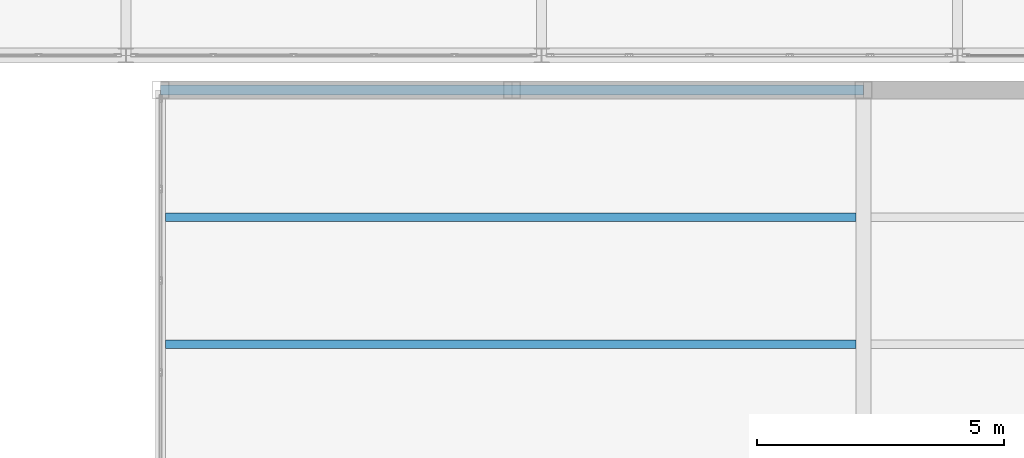
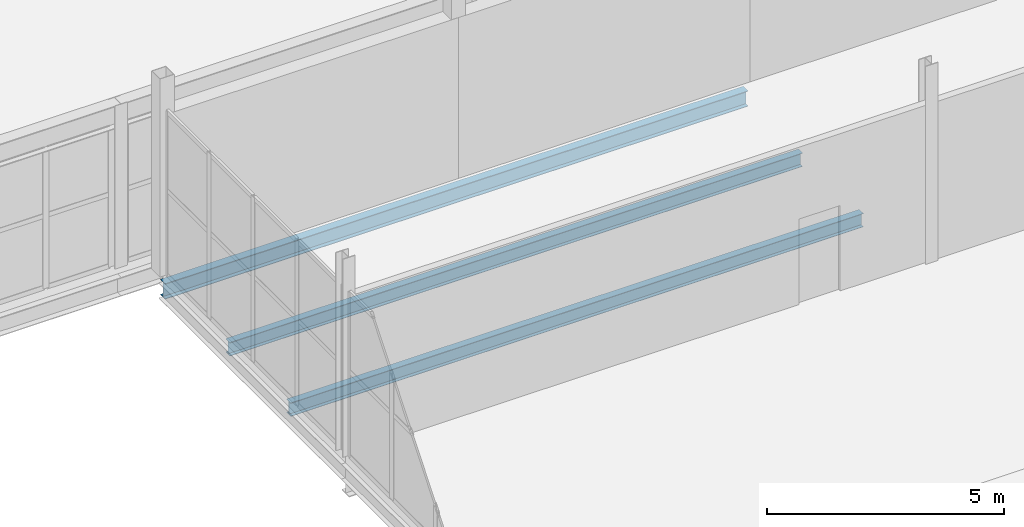
# One storey, part 142 of 218: 3 beams.
"""IFC4 building model written with IfcOpenShell, lengths in metres."""

from ifc_helpers import new_model, si_unit, direction, frame, origin, origin_2d, place, context, subcontext, project, spatial, i_section, extrude, material, material_profile, profile_set, type_object, element, save


model = new_model("IFC4")

# Units and contexts
model_context = context("Model", 3, precision=1e-05, world=origin(), true_north=direction((0.0, 1.0)))
body_context = subcontext(model_context, "Body", "Model", "MODEL_VIEW")
ifc_project = project(units=[si_unit("LENGTHUNIT", "METRE"), si_unit("AREAUNIT", "SQUARE_METRE"), si_unit("VOLUMEUNIT", "CUBIC_METRE"), si_unit("PLANEANGLEUNIT", "RADIAN"), si_unit("MASSUNIT", "GRAM", prefix="KILO")], contexts=[model_context])

# Site, building, storey
site_placement = place(None, origin())
site = spatial("IfcSite", under=ifc_project, at=site_placement, CompositionType="ELEMENT")
building_placement = place(site_placement, origin())
building = spatial("IfcBuilding", under=site, at=building_placement, Name="Kazenagashi Tramway Depot", CompositionType="ELEMENT")
storey_placement = place(building_placement, frame((0.0, 0.0, 6.0)))
storey = spatial("IfcBuildingStorey", under=building, at=storey_placement, Name="L02", CompositionType="ELEMENT", Elevation=6.0)

# Beams
ifc_material_1 = material(Name="Steel SN400B", Category="steel")
ifc_material_profile_1 = material_profile(ifc_material_1, i_section(OverallWidth=0.175, OverallDepth=0.35, WebThickness=0.007, FlangeThickness=0.011, at=origin_2d()), Name="H-350x175x7x11")
ifc_profile_set_1 = profile_set([ifc_material_profile_1], Name="Steel SN400B")
beam_type_1 = type_object("IfcBeamType", Name="J-01", PredefinedType="JOIST", material=ifc_profile_set_1)
for number, where, z_axis, x_axis, name in (
    (1, (146.4, 64.167, -0.455), (1.0, 0.0, 0.0), (0.0, 1.0, 0.0), "Beam J-01 BM-1254"),
    (2, (146.4, 66.733, -0.455), (1.0, 0.0, 0.0), (0.0, 1.0, 0.0), "Beam J-01 BM-1255"),
):
    element("IfcBeam", number, at=place(storey_placement, frame(where, z_axis=z_axis, x_axis=x_axis)), inside=storey, type_object=beam_type_1, Name=name, PredefinedType="JOIST", context=body_context, shape_type="SweptSolid", body=[
        extrude(i_section(OverallWidth=0.175, OverallDepth=0.35, WebThickness=0.007, FlangeThickness=0.011, at=origin_2d()), origin(), (0.0, 0.0, 1.0), 13.95),
    ])
ifc_material_2 = material(Name="Steel SN490B", Category="steel")
ifc_material_profile_2 = material_profile(ifc_material_2, i_section(OverallWidth=0.2, OverallDepth=0.4, WebThickness=0.008, FlangeThickness=0.013, at=origin_2d()), Name="H-400x200x8x13")
ifc_profile_set_2 = profile_set([ifc_material_profile_2], Name="Steel SN490B")
beam_type_2 = type_object("IfcBeamType", Name="SP-04", PredefinedType="SPANDREL", material=ifc_profile_set_2)
beam_placement = place(storey_placement, frame((146.3, 69.3, -0.48), z_axis=(1.0, 0.0, 0.0), x_axis=(0.0, 1.0, 0.0)))
element("IfcBeam", 3, at=beam_placement, inside=storey, type_object=beam_type_2, Name="Beam SP-04 BM-1225", PredefinedType="SPANDREL", context=body_context, shape_type="SweptSolid", body=[
    extrude(i_section(OverallWidth=0.2, OverallDepth=0.4, WebThickness=0.008, FlangeThickness=0.013, at=origin_2d()), origin(), (0.0, 0.0, 1.0), 14.2),
])

save(model, "model.ifc")
